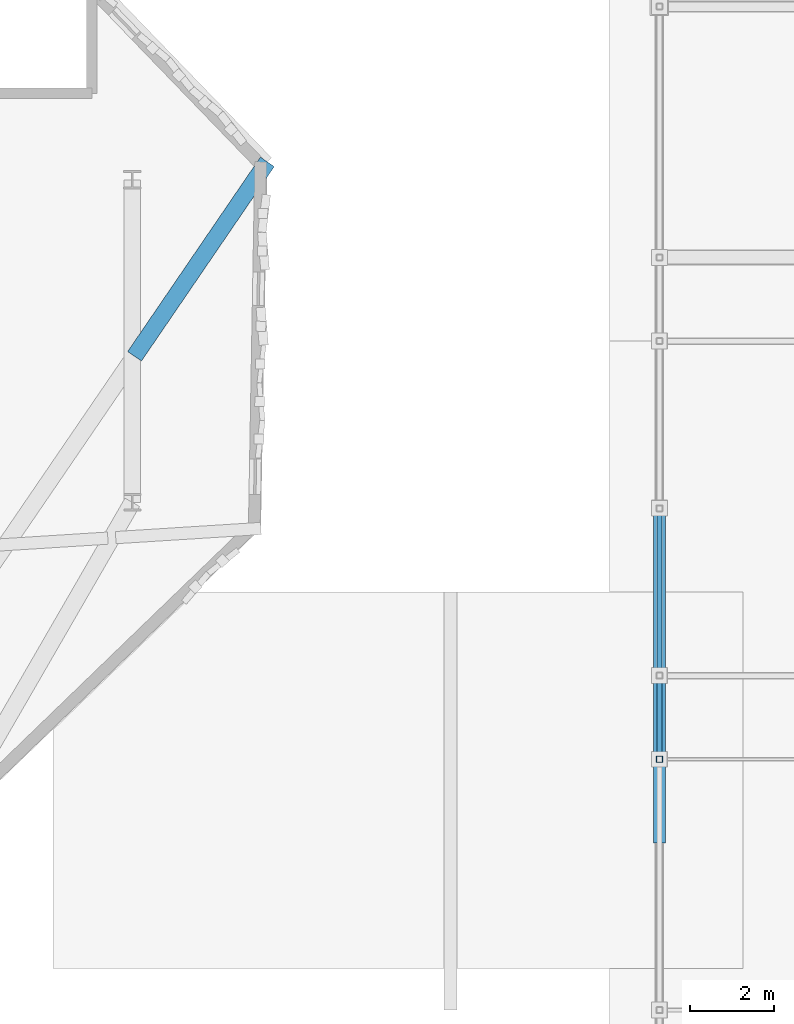
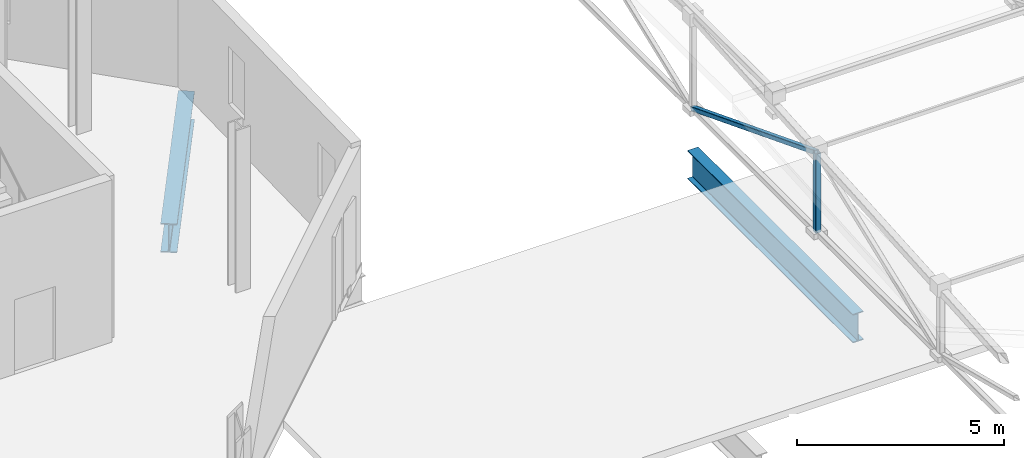
# One storey, part 14 of 85: 2 beams, 2 members.
"""IFC4 building model written with IfcOpenShell, lengths in metres."""

from ifc_helpers import new_model, si_unit, direction, frame, origin, origin_2d, place, context, subcontext, project, spatial, hollow_rectangle, i_section, extrude, material, material_profile, profile_set, type_object, element, save


model = new_model("IFC4")

# Units and contexts
model_context = context("Model", 3, precision=1e-05, world=origin(), true_north=direction((0.0, 1.0)))
body_context = subcontext(model_context, "Body", "Model", "MODEL_VIEW")
ifc_project = project(units=[si_unit("LENGTHUNIT", "METRE"), si_unit("AREAUNIT", "SQUARE_METRE"), si_unit("VOLUMEUNIT", "CUBIC_METRE"), si_unit("PLANEANGLEUNIT", "RADIAN"), si_unit("MASSUNIT", "GRAM", prefix="KILO"), si_unit("THERMODYNAMICTEMPERATUREUNIT", "KELVIN"), si_unit("POWERUNIT", "WATT")], contexts=[model_context])

# Site, building, storey
site_placement = place(None, origin())
site = spatial("IfcSite", under=ifc_project, at=site_placement, CompositionType="ELEMENT")
building_placement = place(site_placement, origin())
building = spatial("IfcBuilding", under=site, at=building_placement, Name="Zelmaris Science Centre", CompositionType="ELEMENT")
storey_placement = place(building_placement, frame((0.0, 0.0, 20.39990234375)))
storey = spatial("IfcBuildingStorey", under=building, at=storey_placement, Name="L04", CompositionType="ELEMENT", Elevation=20.39990234375)

# Beams
ifc_material_1 = material(Name="Steel ASTM A992 Grade 50", Category="steel")
ifc_material_profile_1 = material_profile(ifc_material_1, i_section(OverallWidth=0.40087890625, OverallDepth=0.85595703125, WebThickness=0.018310546875, FlangeThickness=0.029296875, FilletRadius=0.02001953125, at=origin_2d()), Name="W33X201")
ifc_profile_set_1 = profile_set([ifc_material_profile_1], Name="Steel ASTM A992 Grade 50")
beam_type_1 = type_object("IfcBeamType", Name="Beam G-05 W33X201", PredefinedType="BEAM", material=ifc_profile_set_1)
beam_1_placement = place(storey_placement, frame((95.44580078125, 35.635498046875, -0.7080078125), z_axis=(0.563970299668, 0.825795072092, 0.0), x_axis=(-0.825795072092, 0.563970299668, 0.0)))
element("IfcBeam", 1, at=beam_1_placement, inside=storey, type_object=beam_type_1, Name="L04 Radial overhang girder 4", PredefinedType="BEAM", context=body_context, shape_type="SweptSolid", body=[
    extrude(i_section(OverallWidth=0.40087890625, OverallDepth=0.85595703125, WebThickness=0.018310546875, FlangeThickness=0.029296875, FilletRadius=0.02001953125, at=origin_2d()), origin(), (0.0, 0.0, 1.0), 5.631103515625),
])
ifc_material_profile_2 = material_profile(ifc_material_1, i_section(OverallWidth=0.294921875, OverallDepth=0.85107421875, WebThickness=0.01611328125, FlangeThickness=0.02685546875, FilletRadius=0.02001953125, at=origin_2d()), Name="W33X152")
ifc_profile_set_2 = profile_set([ifc_material_profile_2], Name="Steel ASTM A992 Grade 50")
beam_type_2 = type_object("IfcBeamType", Name="Beam G-06 W33X152", PredefinedType="BEAM", material=ifc_profile_set_2)
beam_2_placement = place(storey_placement, frame((108.0, 24.0, -0.67529296875), z_axis=(0.0, 1.0, 0.0), x_axis=(-1.0, 0.0, 0.0)))
element("IfcBeam", 2, at=beam_2_placement, inside=storey, type_object=beam_type_2, Name="L04 North-south girder 839", PredefinedType="BEAM", context=body_context, shape_type="SweptSolid", body=[
    extrude(i_section(OverallWidth=0.294921875, OverallDepth=0.85107421875, WebThickness=0.01611328125, FlangeThickness=0.02685546875, FilletRadius=0.02001953125, at=origin_2d()), origin(), (0.0, 0.0, 1.0), 8.0),
])

# Members
ifc_material_2 = material(Name="Steel ASTM A500 Grade C", Category="steel")
ifc_material_profile_3 = material_profile(ifc_material_2, hollow_rectangle(XDim=0.15234375, YDim=0.15234375, WallThickness=0.0087890625, InnerFilletRadius=0.0087890625, OuterFilletRadius=0.017822265625, at=origin_2d()), Name="HSS152X152X10")
ifc_profile_set_3 = profile_set([ifc_material_profile_3], Name="Steel ASTM A500 Grade C")
member_type_1 = type_object("IfcMemberType", Name="Structural Brace BR-03 HSS152X152X10", PredefinedType="BRACE", material=ifc_profile_set_3)
member_1_placement = place(storey_placement, frame((108.0, 26.0, 0.947998046875), z_axis=(0.0, 0.0, 1.0), x_axis=(1.0, 0.0, 0.0)))
element("IfcMember", 3, at=member_1_placement, inside=storey, type_object=member_type_1, Name="RF-V4 Roof truss 1 vertical web 3", PredefinedType="BRACE", context=body_context, shape_type="SweptSolid", body=[
    extrude(hollow_rectangle(XDim=0.15234375, YDim=0.15234375, WallThickness=0.0087890625, InnerFilletRadius=0.0087890625, OuterFilletRadius=0.017822265625, at=origin_2d()), origin(), (0.0, 0.0, 1.0), 2.33740234375),
])
ifc_material_profile_4 = material_profile(ifc_material_2, hollow_rectangle(XDim=0.126953125, YDim=0.126953125, WallThickness=0.00732421875, InnerFilletRadius=0.00732421875, OuterFilletRadius=0.014892578125, at=origin_2d()), Name="HSS127X127X8")
ifc_profile_set_4 = profile_set([ifc_material_profile_4], Name="Steel ASTM A500 Grade C")
member_type_2 = type_object("IfcMemberType", Name="Structural Brace BR-04 HSS127X127X8", PredefinedType="BRACE", material=ifc_profile_set_4)
member_2_placement = place(storey_placement, frame((108.0, 26.0, 3.285400390625), z_axis=(0.0, 0.93179104927, -0.362995097075), x_axis=(-1.0, 0.0, 0.0)))
element("IfcMember", 4, at=member_2_placement, inside=storey, type_object=member_type_2, Name="RF-V4 Roof truss 1 web diagonal 4", PredefinedType="BRACE", context=body_context, shape_type="SweptSolid", body=[
    extrude(hollow_rectangle(XDim=0.126953125, YDim=0.126953125, WallThickness=0.00732421875, InnerFilletRadius=0.00732421875, OuterFilletRadius=0.014892578125, at=origin_2d()), origin(), (0.0, 0.0, 1.0), 6.439208984375),
])

save(model, "model.ifc")
